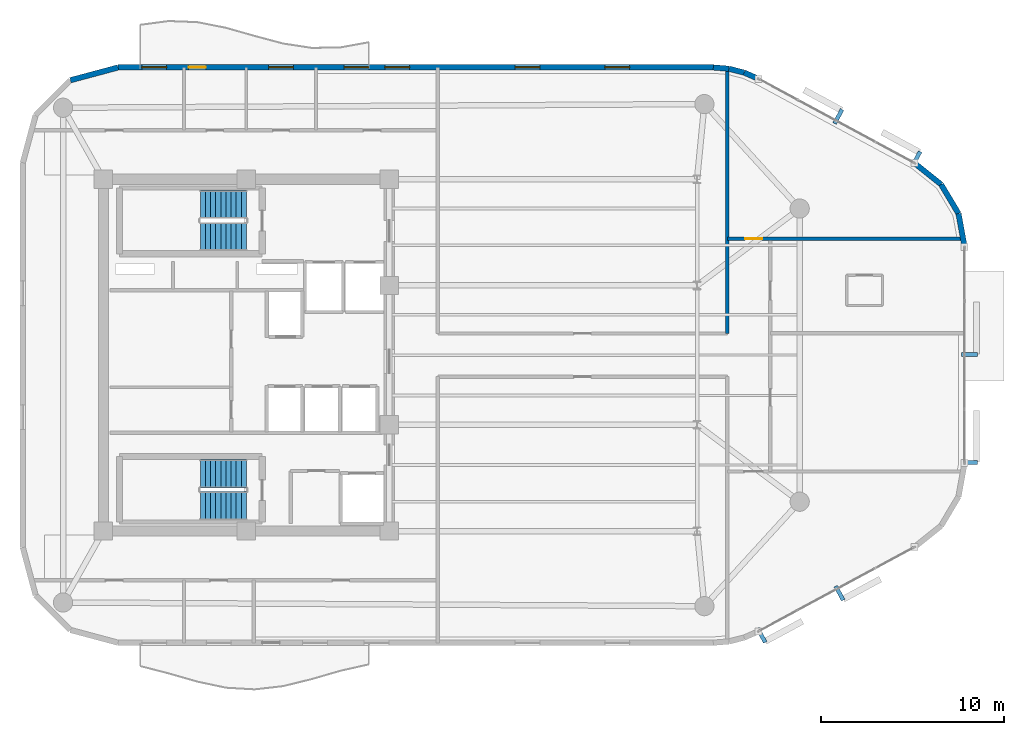
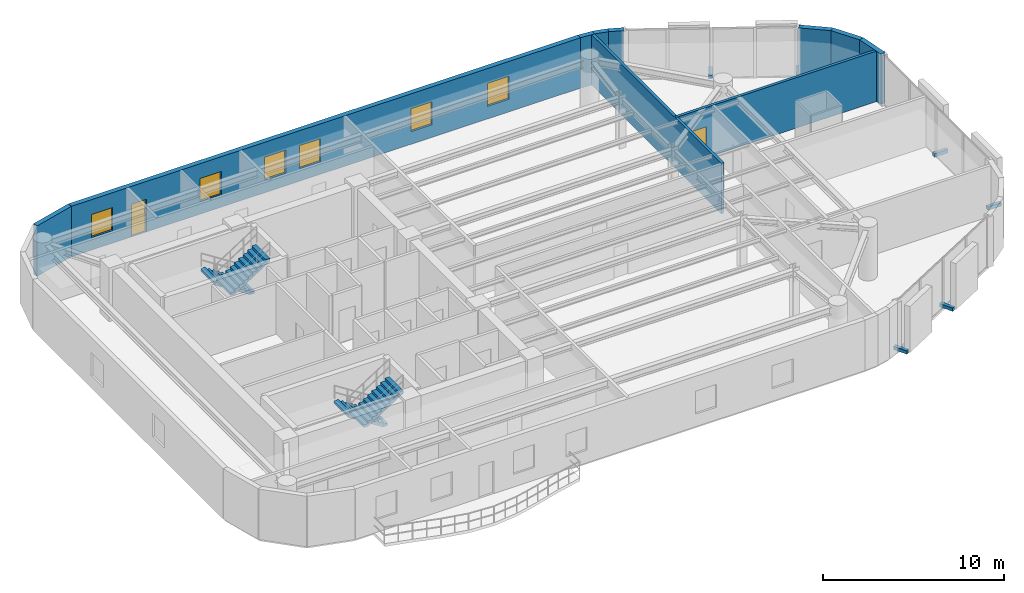
# One storey, part 11 of 13: 10 walls, 6 discrete accessories, 6 windows, 4 stair flights, 2 doors, 8 openings, 2 elements without a shape of their own.
"""IFC4 building model written with IfcOpenShell, lengths in metres."""

from ifc_helpers import new_model, si_unit, direction, frame, frame_2d, origin, origin_2d, place, context, subcontext, project, spatial, polyline, rectangle, outline, extrude, material, layer, layer_set, type_object, element, fill, aggregate, save


model = new_model("IFC4")

# Units and contexts
model_context = context("Model", 3, precision=1e-05, world=origin(), true_north=direction((0.0, 1.0)))
body_context = subcontext(model_context, "Body", "Model", "MODEL_VIEW")
ifc_project = project(units=[si_unit("LENGTHUNIT", "METRE"), si_unit("AREAUNIT", "SQUARE_METRE"), si_unit("VOLUMEUNIT", "CUBIC_METRE"), si_unit("PLANEANGLEUNIT", "RADIAN"), si_unit("MASSUNIT", "GRAM", prefix="KILO")], contexts=[model_context])

# Site, building, storey
site_placement = place(None, origin())
site = spatial("IfcSite", under=ifc_project, at=site_placement, CompositionType="ELEMENT")
building_placement = place(site_placement, origin())
building = spatial("IfcBuilding", under=site, at=building_placement, Name="An Khanh Terracotta Commons", CompositionType="ELEMENT")
storey_placement = place(building_placement, frame((0.0, 0.0, 233.699951171875)))
storey = spatial("IfcBuildingStorey", under=building, at=storey_placement, Name="L61", CompositionType="ELEMENT", Elevation=233.699951171875)

# Wall, opening, door
ifc_material_1 = material(Name="Fire-Rated Gypsum Board on Steel Stud", Category="steel")
ifc_layer_1 = layer(ifc_material_1, 0.179931640625, Name="Fire-Rated Gypsum Board on Steel Stud")
ifc_layer_set_1 = layer_set([ifc_layer_1], Name="Fire-Rated Gypsum Board on Steel Stud")
wall_type_1 = type_object("IfcWallType", Name="WALL-CORR-180", PredefinedType="PARTITIONING", material=ifc_layer_set_1)
wall_1_placement = place(storey_placement, frame((55.64990234375, 30.35009765625, 0.0), z_axis=(0.0, 0.0, 1.0), x_axis=(1.0, 0.0, 0.0)))
wall_1 = element("IfcWall", 1, at=wall_1_placement, inside=storey, type_object=wall_type_1, Name="L61 Interior Partition IW-L61-E006", PredefinedType="PARTITIONING", context=body_context, shape_type="SweptSolid", body=[
    extrude(rectangle(XDim=12.8681640625, YDim=0.179931640625, at=frame_2d((6.43408203125, 0.0))), origin(), (0.0, 0.0, 1.0), 3.400146484375),
])
opening_1_placement = place(wall_1_placement, frame((0.97509765625, 0.0, 0.0)))
opening_1 = element("IfcOpeningElement", 2, at=opening_1_placement, cuts=wall_1, Name="Opening D-RM", PredefinedType="OPENING", context=body_context, shape_type="SweptSolid", body=[
    extrude(rectangle(XDim=0.919921875, YDim=2.10009765625, at=frame_2d((0.4599609375, 1.050048828125))), frame((0.0, 0.099853515625, 0.0), z_axis=(0.0, -1.0, 0.0), x_axis=(1.0, 0.0, 0.0)), (0.0, 0.0, 1.0), 0.199951171875),
])
ifc_material_2 = material(Name="Engineered Hardwood Timber Leaf", Category="wood")
door_type_1 = type_object("IfcDoorType", Name="DOOR-INT-920", OperationType="NOTDEFINED", PredefinedType="DOOR", material=ifc_material_2)
door_1_placement = place(opening_1_placement, origin())
door_1 = element("IfcDoor", 3, at=door_1_placement, inside=storey, type_object=door_type_1, Name="L61 CAPN Music Practice Hall Door", OperationType="SINGLE_SWING_RIGHT", OverallHeight=2.10009765625, OverallWidth=0.919921875, PredefinedType="DOOR", context=body_context, shape_type="SweptSolid", body=[
    extrude(rectangle(XDim=0.919921875, YDim=2.10009765625, at=frame_2d((0.4599609375, 1.050048828125))), frame((0.0, 0.02490234375, 0.0), z_axis=(0.0, -1.0, 0.0), x_axis=(1.0, 0.0, 0.0)), (0.0, 0.0, 1.0), 0.050048828125),
])
fill(opening_1, door_1)

# Walls
wall_2_placement = place(storey_placement, frame((55.64990234375, 25.179931640625, 0.0), z_axis=(0.0, 0.0, 1.0), x_axis=(0.0, 1.0, 0.0)))
element("IfcWall", 4, at=wall_2_placement, inside=storey, type_object=wall_type_1, Name="L61 Interior Partition IW-L61-E016", PredefinedType="PARTITIONING", context=body_context, shape_type="SweptSolid", body=[
    extrude(rectangle(XDim=14.4560546875, YDim=0.179931640625, at=frame_2d((7.22802734375, 0.0))), origin(), (0.0, 0.0, 1.0), 3.400146484375),
])
ifc_material_3 = material(Name="Precast concrete C40/50", Category="concrete")
ifc_layer_2 = layer(ifc_material_3, 0.300048828125, Name="Precast concrete C40/50")
ifc_layer_set_2 = layer_set([ifc_layer_2], Name="Precast concrete C40/50")
wall_type_2 = type_object("IfcWallType", Name="WALL-EXT-300", PredefinedType="SOLIDWALL", material=ifc_layer_set_2)
wall_3_placement = place(storey_placement, frame((68.60009765625, 29.89892578125, 0.0), z_axis=(0.0, 0.0, 1.0), x_axis=(-0.178468469252, 0.983945631365, 0.0)))
element("IfcWall", 5, at=wall_3_placement, inside=storey, type_object=wall_type_2, Name="L61 Insulated Terracotta Exterior Wall 13", PredefinedType="SOLIDWALL", context=body_context, shape_type="SweptSolid", body=[
    extrude(rectangle(XDim=1.85498046875, YDim=0.300048828125, at=frame_2d((0.927490234375, 0.0))), origin(), (0.0, 0.0, 1.0), 3.400146484375),
])
wall_4_placement = place(storey_placement, frame((68.26904296875, 31.72412109375, 0.0), z_axis=(0.0, 0.0, 1.0), x_axis=(-0.512072018927, 0.858942516955, 0.0)))
element("IfcWall", 6, at=wall_4_placement, inside=storey, type_object=wall_type_2, Name="L61 Insulated Terracotta Exterior Wall 14", PredefinedType="SOLIDWALL", context=body_context, shape_type="SweptSolid", body=[
    extrude(rectangle(XDim=1.853271484375, YDim=0.300048828125, at=frame_2d((0.9267578125, 0.0))), origin(), (0.0, 0.0, 1.0), 3.400146484375),
])
wall_5_placement = place(storey_placement, frame((67.320068359375, 33.31591796875, 0.0), z_axis=(0.0, 0.0, 1.0), x_axis=(-0.780920189257, 0.624630817372, 0.0)))
element("IfcWall", 7, at=wall_5_placement, inside=storey, type_object=wall_type_2, Name="L61 Insulated Terracotta Exterior Wall 15", PredefinedType="SOLIDWALL", context=body_context, shape_type="SweptSolid", body=[
    extrude(rectangle(XDim=1.854248046875, YDim=0.300048828125, at=frame_2d((0.92724609375, 0.0))), origin(), (0.0, 0.0, 1.0), 3.400146484375),
])
wall_6_placement = place(storey_placement, frame((57.35693359375, 39.074951171875, 0.0), z_axis=(0.0, 0.0, 1.0), x_axis=(-0.916085473636, 0.400983048261, 0.0)))
element("IfcWall", 8, at=wall_6_placement, inside=storey, type_object=wall_type_2, Name="L61 Insulated Terracotta Exterior Wall 17", PredefinedType="SOLIDWALL", context=body_context, shape_type="SweptSolid", body=[
    extrude(rectangle(XDim=0.85791015625, YDim=0.300048828125, at=frame_2d((0.428955078125, 0.0))), origin(), (0.0, 0.0, 1.0), 3.400146484375),
])
wall_7_placement = place(storey_placement, frame((56.571044921875, 39.4189453125, 0.0), z_axis=(0.0, 0.0, 1.0), x_axis=(-0.969536346338, 0.244947490555, 0.0)))
element("IfcWall", 9, at=wall_7_placement, inside=storey, type_object=wall_type_2, Name="L61 Insulated Terracotta Exterior Wall 18", PredefinedType="SOLIDWALL", context=body_context, shape_type="SweptSolid", body=[
    extrude(rectangle(XDim=0.857177734375, YDim=0.300048828125, at=frame_2d((0.4287109375, 0.0))), origin(), (0.0, 0.0, 1.0), 3.400146484375),
])
wall_8_placement = place(storey_placement, frame((55.739990234375, 39.62890625, 0.0), z_axis=(0.0, 0.0, 1.0), x_axis=(-0.996565355958, 0.082809971041, 0.0)))
element("IfcWall", 10, at=wall_8_placement, inside=storey, type_object=wall_type_2, Name="L61 Insulated Terracotta Exterior Wall 19", PredefinedType="SOLIDWALL", context=body_context, shape_type="SweptSolid", body=[
    extrude(rectangle(XDim=0.85791015625, YDim=0.300048828125, at=frame_2d((0.428955078125, 0.0))), origin(), (0.0, 0.0, 1.0), 3.400146484375),
])

# Wall, openings, door, windows
wall_9_placement = place(storey_placement, frame((54.885009765625, 39.699951171875, 0.0), z_axis=(0.0, 0.0, 1.0), x_axis=(-1.0, 0.0, 0.0)))
wall_9 = element("IfcWall", 11, at=wall_9_placement, inside=storey, type_object=wall_type_2, Name="L61 Insulated Terracotta Exterior Wall 20", PredefinedType="SOLIDWALL", context=body_context, shape_type="SweptSolid", body=[
    extrude(rectangle(XDim=32.485107421875, YDim=0.300048828125, at=frame_2d((16.24267578125, 0.0))), origin(), (0.0, 0.0, 1.0), 3.400146484375),
])
opening_2_placement = place(wall_9_placement, frame((27.68505859375, 0.0, 0.0)))
opening_2 = element("IfcOpeningElement", 12, at=opening_2_placement, cuts=wall_9, Name="Opening D-BAL", PredefinedType="OPENING", context=body_context, shape_type="SweptSolid", body=[
    extrude(rectangle(XDim=0.949951171875, YDim=2.199951171875, at=frame_2d((0.47509765625, 1.10009765625))), frame((0.0, 0.159912109375, 0.0), z_axis=(0.0, -1.0, 0.0), x_axis=(1.0, 0.0, 0.0)), (0.0, 0.0, 1.0), 0.320068359375),
])
opening_3_placement = place(wall_9_placement, frame((4.570068359375, 0.0, 0.85009765625)))
opening_3 = element("IfcOpeningElement", 13, at=opening_3_placement, cuts=wall_9, Name="Opening W-04", PredefinedType="OPENING", context=body_context, shape_type="SweptSolid", body=[
    extrude(rectangle(XDim=1.35009765625, YDim=1.550048828125, at=frame_2d((0.675048828125, 0.77490234375))), frame((0.0, 0.159912109375, 0.0), z_axis=(0.0, -1.0, 0.0), x_axis=(1.0, 0.0, 0.0)), (0.0, 0.0, 1.0), 0.320068359375),
])
opening_4_placement = place(wall_9_placement, frame((9.465087890625, 0.0, 0.85009765625)))
opening_4 = element("IfcOpeningElement", 14, at=opening_4_placement, cuts=wall_9, Name="Opening W-04", PredefinedType="OPENING", context=body_context, shape_type="SweptSolid", body=[
    extrude(rectangle(XDim=1.35009765625, YDim=1.550048828125, at=frame_2d((0.675048828125, 0.77490234375))), frame((0.0, 0.159912109375, 0.0), z_axis=(0.0, -1.0, 0.0), x_axis=(1.0, 0.0, 0.0)), (0.0, 0.0, 1.0), 0.320068359375),
])
opening_5_placement = place(wall_9_placement, frame((16.576904296875, 0.0, 0.85009765625)))
opening_5 = element("IfcOpeningElement", 15, at=opening_5_placement, cuts=wall_9, Name="Opening W-04", PredefinedType="OPENING", context=body_context, shape_type="SweptSolid", body=[
    extrude(rectangle(XDim=1.35009765625, YDim=1.550048828125, at=frame_2d((0.675048828125, 0.77490234375))), frame((0.0, 0.159912109375, 0.0), z_axis=(0.0, -1.0, 0.0), x_axis=(1.0, 0.0, 0.0)), (0.0, 0.0, 1.0), 0.320068359375),
])
opening_6_placement = place(wall_9_placement, frame((18.79296875, 0.0, 0.85009765625)))
opening_6 = element("IfcOpeningElement", 16, at=opening_6_placement, cuts=wall_9, Name="Opening W-04", PredefinedType="OPENING", context=body_context, shape_type="SweptSolid", body=[
    extrude(rectangle(XDim=1.35009765625, YDim=1.550048828125, at=frame_2d((0.675048828125, 0.77490234375))), frame((0.0, 0.159912109375, 0.0), z_axis=(0.0, -1.0, 0.0), x_axis=(1.0, 0.0, 0.0)), (0.0, 0.0, 1.0), 0.320068359375),
])
opening_7_placement = place(wall_9_placement, frame((22.909912109375, 0.0, 0.85009765625)))
opening_7 = element("IfcOpeningElement", 17, at=opening_7_placement, cuts=wall_9, Name="Opening W-04", PredefinedType="OPENING", context=body_context, shape_type="SweptSolid", body=[
    extrude(rectangle(XDim=1.35009765625, YDim=1.550048828125, at=frame_2d((0.675048828125, 0.77490234375))), frame((0.0, 0.159912109375, 0.0), z_axis=(0.0, -1.0, 0.0), x_axis=(1.0, 0.0, 0.0)), (0.0, 0.0, 1.0), 0.320068359375),
])
opening_8_placement = place(wall_9_placement, frame((29.8349609375, 0.0, 0.85009765625)))
opening_8 = element("IfcOpeningElement", 18, at=opening_8_placement, cuts=wall_9, Name="Opening W-04", PredefinedType="OPENING", context=body_context, shape_type="SweptSolid", body=[
    extrude(rectangle(XDim=1.35009765625, YDim=1.550048828125, at=frame_2d((0.675048828125, 0.77490234375))), frame((0.0, 0.159912109375, 0.0), z_axis=(0.0, -1.0, 0.0), x_axis=(1.0, 0.0, 0.0)), (0.0, 0.0, 1.0), 0.320068359375),
])
ifc_material_4 = material(Name="Thermally Broken Aluminium and Low-E Glass", Category="aluminium")
door_type_2 = type_object("IfcDoorType", Name="DOOR-BALC-950", OperationType="NOTDEFINED", PredefinedType="DOOR", material=ifc_material_4)
door_2_placement = place(opening_2_placement, origin())
door_2 = element("IfcDoor", 19, at=door_2_placement, inside=storey, type_object=door_type_2, Name="L61 N Wave Balcony Glazed Door", OperationType="SINGLE_SWING_RIGHT", OverallHeight=2.199951171875, OverallWidth=0.949951171875, PredefinedType="DOOR", context=body_context, shape_type="SweptSolid", body=[
    extrude(rectangle(XDim=0.949951171875, YDim=2.199951171875, at=frame_2d((0.47509765625, 1.10009765625))), frame((0.0, 0.02490234375, 0.0), z_axis=(0.0, -1.0, 0.0), x_axis=(1.0, 0.0, 0.0)), (0.0, 0.0, 1.0), 0.050048828125),
])
fill(opening_2, door_2)
window_type = type_object("IfcWindowType", Name="WIN-Z4-1350x1550", PartitioningType="SINGLE_PANEL", PredefinedType="WINDOW", material=ifc_material_4)
window_1_placement = place(opening_3_placement, origin())
window_1 = element("IfcWindow", 20, at=window_1_placement, inside=storey, type_object=window_type, Name="L61 Operable Casement Window 20.1", OverallHeight=1.550048828125, OverallWidth=1.35009765625, PartitioningType="SINGLE_PANEL", PredefinedType="WINDOW", context=body_context, shape_type="SweptSolid", body=[
    extrude(rectangle(XDim=1.35009765625, YDim=1.550048828125, at=frame_2d((0.675048828125, 0.77490234375))), frame((0.0, 0.030029296875, 0.0), z_axis=(0.0, -1.0, 0.0), x_axis=(1.0, 0.0, 0.0)), (0.0, 0.0, 1.0), 0.06005859375),
])
fill(opening_3, window_1)
window_2_placement = place(opening_4_placement, origin())
window_2 = element("IfcWindow", 21, at=window_2_placement, inside=storey, type_object=window_type, Name="L61 Operable Casement Window 20.2", OverallHeight=1.550048828125, OverallWidth=1.35009765625, PartitioningType="SINGLE_PANEL", PredefinedType="WINDOW", context=body_context, shape_type="SweptSolid", body=[
    extrude(rectangle(XDim=1.35009765625, YDim=1.550048828125, at=frame_2d((0.675048828125, 0.77490234375))), frame((0.0, 0.030029296875, 0.0), z_axis=(0.0, -1.0, 0.0), x_axis=(1.0, 0.0, 0.0)), (0.0, 0.0, 1.0), 0.06005859375),
])
fill(opening_4, window_2)
window_3_placement = place(opening_5_placement, origin())
window_3 = element("IfcWindow", 22, at=window_3_placement, inside=storey, type_object=window_type, Name="L61 Operable Casement Window 20.3", OverallHeight=1.550048828125, OverallWidth=1.35009765625, PartitioningType="SINGLE_PANEL", PredefinedType="WINDOW", context=body_context, shape_type="SweptSolid", body=[
    extrude(rectangle(XDim=1.35009765625, YDim=1.550048828125, at=frame_2d((0.675048828125, 0.77490234375))), frame((0.0, 0.030029296875, 0.0), z_axis=(0.0, -1.0, 0.0), x_axis=(1.0, 0.0, 0.0)), (0.0, 0.0, 1.0), 0.06005859375),
])
fill(opening_5, window_3)
window_4_placement = place(opening_6_placement, origin())
window_4 = element("IfcWindow", 23, at=window_4_placement, inside=storey, type_object=window_type, Name="L61 Operable Casement Window 20.4", OverallHeight=1.550048828125, OverallWidth=1.35009765625, PartitioningType="SINGLE_PANEL", PredefinedType="WINDOW", context=body_context, shape_type="SweptSolid", body=[
    extrude(rectangle(XDim=1.35009765625, YDim=1.550048828125, at=frame_2d((0.675048828125, 0.77490234375))), frame((0.0, 0.030029296875, 0.0), z_axis=(0.0, -1.0, 0.0), x_axis=(1.0, 0.0, 0.0)), (0.0, 0.0, 1.0), 0.06005859375),
])
fill(opening_6, window_4)
window_5_placement = place(opening_7_placement, origin())
window_5 = element("IfcWindow", 24, at=window_5_placement, inside=storey, type_object=window_type, Name="L61 Operable Casement Window 20.5", OverallHeight=1.550048828125, OverallWidth=1.35009765625, PartitioningType="SINGLE_PANEL", PredefinedType="WINDOW", context=body_context, shape_type="SweptSolid", body=[
    extrude(rectangle(XDim=1.35009765625, YDim=1.550048828125, at=frame_2d((0.675048828125, 0.77490234375))), frame((0.0, 0.030029296875, 0.0), z_axis=(0.0, -1.0, 0.0), x_axis=(1.0, 0.0, 0.0)), (0.0, 0.0, 1.0), 0.06005859375),
])
fill(opening_7, window_5)
window_6_placement = place(opening_8_placement, origin())
window_6 = element("IfcWindow", 25, at=window_6_placement, inside=storey, type_object=window_type, Name="L61 Operable Casement Window 20.6", OverallHeight=1.550048828125, OverallWidth=1.35009765625, PartitioningType="SINGLE_PANEL", PredefinedType="WINDOW", context=body_context, shape_type="SweptSolid", body=[
    extrude(rectangle(XDim=1.35009765625, YDim=1.550048828125, at=frame_2d((0.675048828125, 0.77490234375))), frame((0.0, 0.030029296875, 0.0), z_axis=(0.0, -1.0, 0.0), x_axis=(1.0, 0.0, 0.0)), (0.0, 0.0, 1.0), 0.06005859375),
])
fill(opening_8, window_6)

# Wall
wall_10_placement = place(storey_placement, frame((22.39990234375, 39.699951171875, 0.0), z_axis=(0.0, 0.0, 1.0), x_axis=(-0.965889330541, -0.258955210695, 0.0)))
element("IfcWall", 26, at=wall_10_placement, inside=storey, type_object=wall_type_2, Name="L61 Insulated Terracotta Exterior Wall 21", PredefinedType="SOLIDWALL", context=body_context, shape_type="SweptSolid", body=[
    extrude(rectangle(XDim=2.691650390625, YDim=0.300048828125, at=frame_2d((1.345703125, 0.0))), origin(), (0.0, 0.0, 1.0), 3.400146484375),
])

# Stair, stair flights
stair_type = type_object("IfcStairType", Name="STAIR-CORE-1550", PredefinedType="HALF_TURN_STAIR", material=ifc_material_3)
stair_1_placement = place(storey_placement, origin())
stair_1 = element("IfcStair", 27, at=stair_1_placement, inside=storey, type_object=stair_type, Name="L61 Core Smokeproof Exit Stair ST-01", PredefinedType="HALF_TURN_STAIR")
stair_flight_type = type_object("IfcStairFlightType", Name="FLIGHT-CORE-1550", PredefinedType="STRAIGHT", material=ifc_material_3)
stair_flight_1_placement = place(storey_placement, frame((29.409912109375, 32.22509765625, 0.0), z_axis=(0.0, 0.0, 1.0), x_axis=(-1.0, 0.0, 0.0)))
stair_flight_1 = element("IfcStairFlight", 28, at=stair_flight_1_placement, type_object=stair_flight_type, Name="ST-01 flight 1", NumberOfRisers=10, NumberOfTreads=9, PredefinedType="STRAIGHT", RiserHeight=0.18, TreadLength=0.28, context=body_context, shape_type="SweptSolid", body=[
    extrude(outline(polyline([(0.0, 0.0), (0.0, 0.179931640625), (0.280029296875, 0.179931640625), (0.280029296875, 0.360107421875), (0.56005859375, 0.360107421875), (0.56005859375, 0.5400390625), (0.840087890625, 0.5400390625), (0.840087890625, 0.719970703125), (1.1201171875, 0.719970703125), (1.1201171875, 0.89990234375), (1.39990234375, 0.89990234375), (1.39990234375, 1.080078125), (1.679931640625, 1.080078125), (1.679931640625, 1.260009765625), (1.9599609375, 1.260009765625), (1.9599609375, 1.43994140625), (2.239990234375, 1.43994140625), (2.239990234375, 1.6201171875), (2.52001953125, 1.6201171875), (2.52001953125, 1.800048828125), (2.52001953125, 1.44189453125), (0.277099609375, 0.0), (0.0, 0.0)])), frame((0.0, 0.77490234375, 0.0), z_axis=(0.0, -1.0, 0.0), x_axis=(1.0, 0.0, 0.0)), (0.0, 0.0, 1.0), 1.550048828125),
])
stair_flight_2_placement = place(storey_placement, frame((26.889892578125, 30.47509765625, 1.800048828125), z_axis=(0.0, 0.0, 1.0), x_axis=(1.0, 0.0, 0.0)))
stair_flight_2 = element("IfcStairFlight", 29, at=stair_flight_2_placement, type_object=stair_flight_type, Name="ST-01 flight 2", NumberOfRisers=10, NumberOfTreads=9, PredefinedType="STRAIGHT", RiserHeight=0.18, TreadLength=0.28, context=body_context, shape_type="SweptSolid", body=[
    extrude(outline(polyline([(0.0, 0.0), (0.0, 0.179931640625), (0.280029296875, 0.179931640625), (0.280029296875, 0.360107421875), (0.56005859375, 0.360107421875), (0.56005859375, 0.5400390625), (0.840087890625, 0.5400390625), (0.840087890625, 0.719970703125), (1.1201171875, 0.719970703125), (1.1201171875, 0.89990234375), (1.39990234375, 0.89990234375), (1.39990234375, 1.080078125), (1.679931640625, 1.080078125), (1.679931640625, 1.260009765625), (1.9599609375, 1.260009765625), (1.9599609375, 1.43994140625), (2.239990234375, 1.43994140625), (2.239990234375, 1.6201171875), (2.52001953125, 1.6201171875), (2.52001953125, 1.800048828125), (2.52001953125, 1.44189453125), (0.277099609375, 0.0), (0.0, 0.0)])), frame((0.0, 0.77490234375, 0.0), z_axis=(0.0, -1.0, 0.0), x_axis=(1.0, 0.0, 0.0)), (0.0, 0.0, 1.0), 1.550048828125),
])
aggregate(stair_1, [stair_flight_1, stair_flight_2])

stair_2_placement = place(storey_placement, origin())
stair_2 = element("IfcStair", 30, at=stair_2_placement, inside=storey, type_object=stair_type, Name="L61 Core Smokeproof Exit Stair ST-02", PredefinedType="HALF_TURN_STAIR")
stair_flight_3_placement = place(storey_placement, frame((29.409912109375, 17.52490234375, 0.0), z_axis=(0.0, 0.0, 1.0), x_axis=(-1.0, 0.0, 0.0)))
stair_flight_3 = element("IfcStairFlight", 31, at=stair_flight_3_placement, type_object=stair_flight_type, Name="ST-02 flight 1", NumberOfRisers=10, NumberOfTreads=9, PredefinedType="STRAIGHT", RiserHeight=0.18, TreadLength=0.28, context=body_context, shape_type="SweptSolid", body=[
    extrude(outline(polyline([(0.0, 0.0), (0.0, 0.179931640625), (0.280029296875, 0.179931640625), (0.280029296875, 0.360107421875), (0.56005859375, 0.360107421875), (0.56005859375, 0.5400390625), (0.840087890625, 0.5400390625), (0.840087890625, 0.719970703125), (1.1201171875, 0.719970703125), (1.1201171875, 0.89990234375), (1.39990234375, 0.89990234375), (1.39990234375, 1.080078125), (1.679931640625, 1.080078125), (1.679931640625, 1.260009765625), (1.9599609375, 1.260009765625), (1.9599609375, 1.43994140625), (2.239990234375, 1.43994140625), (2.239990234375, 1.6201171875), (2.52001953125, 1.6201171875), (2.52001953125, 1.800048828125), (2.52001953125, 1.44189453125), (0.277099609375, 0.0), (0.0, 0.0)])), frame((0.0, 0.77490234375, 0.0), z_axis=(0.0, -1.0, 0.0), x_axis=(1.0, 0.0, 0.0)), (0.0, 0.0, 1.0), 1.550048828125),
])
stair_flight_4_placement = place(storey_placement, frame((26.889892578125, 15.77490234375, 1.800048828125), z_axis=(0.0, 0.0, 1.0), x_axis=(1.0, 0.0, 0.0)))
stair_flight_4 = element("IfcStairFlight", 32, at=stair_flight_4_placement, type_object=stair_flight_type, Name="ST-02 flight 2", NumberOfRisers=10, NumberOfTreads=9, PredefinedType="STRAIGHT", RiserHeight=0.18, TreadLength=0.28, context=body_context, shape_type="SweptSolid", body=[
    extrude(outline(polyline([(0.0, 0.0), (0.0, 0.179931640625), (0.280029296875, 0.179931640625), (0.280029296875, 0.360107421875), (0.56005859375, 0.360107421875), (0.56005859375, 0.5400390625), (0.840087890625, 0.5400390625), (0.840087890625, 0.719970703125), (1.1201171875, 0.719970703125), (1.1201171875, 0.89990234375), (1.39990234375, 0.89990234375), (1.39990234375, 1.080078125), (1.679931640625, 1.080078125), (1.679931640625, 1.260009765625), (1.9599609375, 1.260009765625), (1.9599609375, 1.43994140625), (2.239990234375, 1.43994140625), (2.239990234375, 1.6201171875), (2.52001953125, 1.6201171875), (2.52001953125, 1.800048828125), (2.52001953125, 1.44189453125), (0.277099609375, 0.0), (0.0, 0.0)])), frame((0.0, 0.77490234375, 0.0), z_axis=(0.0, -1.0, 0.0), x_axis=(1.0, 0.0, 0.0)), (0.0, 0.0, 1.0), 1.550048828125),
])
aggregate(stair_2, [stair_flight_3, stair_flight_4])

# Discrete accessories
ifc_material_5 = material(Name="Stainless Steel Grade 316L", Category="steel")
discrete_accessory_type = type_object("IfcDiscreteAccessoryType", Name="Stainless Outrigger Facade Bracket", PredefinedType="BRACKET", material=ifc_material_5)
for number, where, z_axis, x_axis, name in (
    (33, (57.513916015625, 8.7080078125, 0.06982421875), (0.0, 0.0, 1.0), (0.879780095306, 0.47538088298, 0.0), "L61 Terracotta Screen Outrigger Bracket 1"),
    (34, (61.77099609375, 11.009033203125, 0.06982421875), (0.0, 0.0, 1.0), (0.879780095306, 0.47538088298, 0.0), "L61 Terracotta Screen Outrigger Bracket 3"),
    (35, (68.864990234375, 18.135986328125, 0.06982421875), (0.0, 0.0, 1.0), (0.0, 1.0, 0.0), "L61 Terracotta Screen Outrigger Bracket 1"),
    (36, (68.864990234375, 24.034912109375, 0.06982421875), (0.0, 0.0, 1.0), (0.0, 1.0, 0.0), "L61 Terracotta Screen Outrigger Bracket 3"),
    (37, (65.967041015625, 34.72412109375, 0.06982421875), (0.0, 0.0, 1.0), (-0.879780095306, 0.47538088298, 0.0), "L61 Terracotta Screen Outrigger Bracket 1"),
    (38, (61.7099609375, 37.02392578125, 0.06982421875), (0.0, 0.0, 1.0), (-0.879780095306, 0.47538088298, 0.0), "L61 Terracotta Screen Outrigger Bracket 3"),
):
    element("IfcDiscreteAccessory", number, at=place(storey_placement, frame(where, z_axis=z_axis, x_axis=x_axis)), inside=storey, type_object=discrete_accessory_type, Name=name, PredefinedType="BRACKET", context=body_context, shape_type="SweptSolid", body=[
        extrude(rectangle(XDim=0.219970703125, YDim=0.8701171875, at=origin_2d()), origin(), (0.0, 0.0, 1.0), 0.219970703125),
    ])

save(model, "model.ifc")
